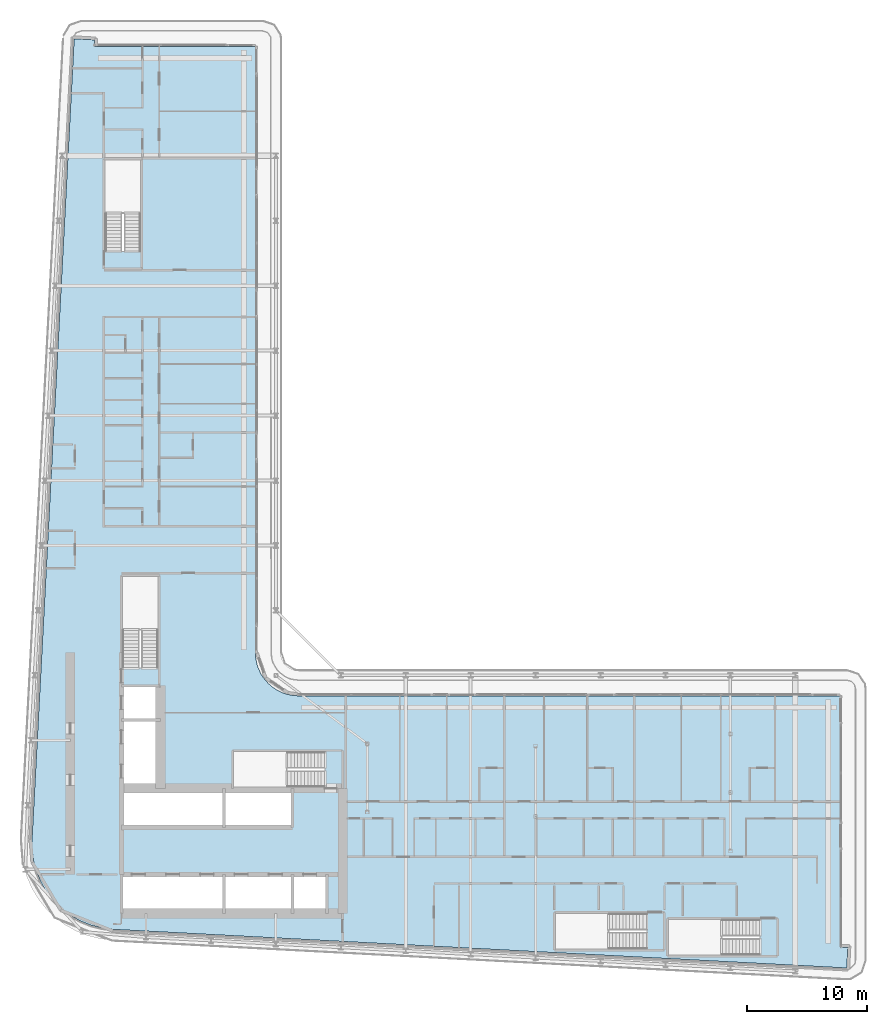
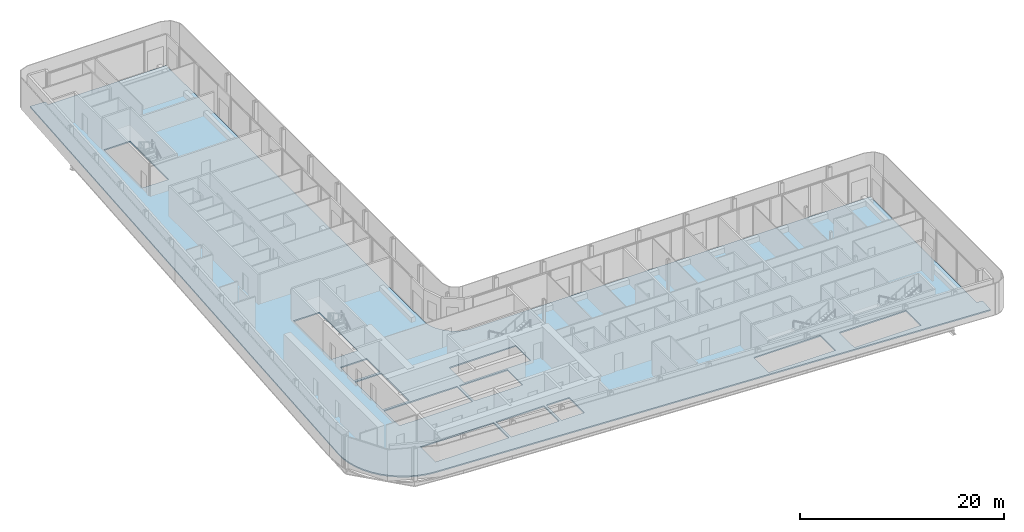
# One storey, part 13 of 30: 1 slab.
"""IFC4 building model written with IfcOpenShell, lengths in metres."""

import ifcopenshell
import ifcopenshell.guid

model = None  # the IFC model being written
_history = None  # IfcOwnerHistory: only IFC2X3 demands one
_inside = {}  # id of a spatial element -> (the spatial element, [elements in it])
_under = {}  # id of a project, library or spatial element -> (it, [spatial elements below it])
_declared = {}  # id of a project -> (the project, [libraries it declares])
_typed = {}  # id of a type object -> (the type object, [elements of that type])
_made_of = {}  # id of a material, layer set ... -> (it, [elements and type objects made of it])


def new_model(schema):
    """Start an empty IFC model of exactly this schema.

    Asked for "IFC4X3", IfcOpenShell would pick the latest addendum, in which some entities
    have other attributes; the version numbers below select the first issue.
    IFC2X3 requires an IfcOwnerHistory on every rooted entity: one is made here for all.
    """
    global model, _history
    if schema == "IFC4X3":
        model = ifcopenshell.file(schema_version=(4, 3, 0, 0))
    else:
        model = ifcopenshell.file(schema=schema)
    _inside.clear()
    _under.clear()
    _declared.clear()
    _typed.clear()
    _made_of.clear()
    _history = None
    if model.schema == "IFC2X3":
        org = make("IfcOrganization", Name="unknown")
        user = make(
            "IfcPersonAndOrganization",
            ThePerson=make("IfcPerson", FamilyName="unknown"),
            TheOrganization=org,
        )
        app = make(
            "IfcApplication",
            ApplicationDeveloper=org,
            Version="unknown",
            ApplicationFullName="unknown",
            ApplicationIdentifier="unknown",
        )
        _history = make(
            "IfcOwnerHistory",
            OwningUser=user,
            OwningApplication=app,
            ChangeAction="ADDED",
            CreationDate=0,
        )
    return model


def make(cls, **values):
    """One entity of the class cls with the attributes given. An attribute that is None is left unset."""
    return model.create_entity(
        cls, **{name: value for name, value in values.items() if value is not None}
    )


def rooted(cls, **values):
    """An entity with a GlobalId (a new one), such as an element, a storey or a relation."""
    return make(cls, GlobalId=ifcopenshell.guid.new(), OwnerHistory=_history, **values)


def si_unit(unit_type, name, prefix=None):
    """IfcSIUnit, for example si_unit("LENGTHUNIT", "METRE", prefix="MILLI")."""
    return make("IfcSIUnit", UnitType=unit_type, Prefix=prefix, Name=name)


def assignment(units):
    """IfcUnitAssignment: the units of a project."""
    return None if units is None else make("IfcUnitAssignment", Units=units)


def point(xyz):
    """IfcCartesianPoint."""
    return None if xyz is None else make("IfcCartesianPoint", Coordinates=xyz)


def direction(xyz):
    """IfcDirection."""
    return None if xyz is None else make("IfcDirection", DirectionRatios=xyz)


def frame(location, z_axis=None, x_axis=None):
    """IfcAxis2Placement3D, a coordinate frame: its origin and axes. An axis left out is left unset."""
    return make(
        "IfcAxis2Placement3D",
        Location=point(location),
        Axis=direction(z_axis),
        RefDirection=direction(x_axis),
    )


def origin():
    """The frame at (0, 0, 0) with its axes left unset."""
    return frame((0.0, 0.0, 0.0))


def place(relative_to, where):
    """IfcLocalPlacement: puts the frame where relative to a parent placement (None: the world)."""
    return make(
        "IfcLocalPlacement", PlacementRelTo=relative_to, RelativePlacement=where
    )


def context(
    kind, dimensions, precision=None, world=None, true_north=None, identifier=None
):
    """IfcGeometricRepresentationContext, for example the 3D "Model" context."""
    return make(
        "IfcGeometricRepresentationContext",
        ContextIdentifier=identifier,
        ContextType=kind,
        CoordinateSpaceDimension=dimensions,
        Precision=precision,
        WorldCoordinateSystem=world,
        TrueNorth=true_north,
    )


def subcontext(parent, identifier, kind, view, scale=None):
    """IfcGeometricRepresentationSubContext, for example "Body" below "Model"."""
    return make(
        "IfcGeometricRepresentationSubContext",
        ContextIdentifier=identifier,
        ContextType=kind,
        ParentContext=parent,
        TargetScale=scale,
        TargetView=view,
    )


def project(units=None, contexts=None):
    """IfcProject with its units and contexts."""
    return rooted(
        "IfcProject",
        Name="project",
        RepresentationContexts=contexts,
        UnitsInContext=assignment(units),
    )


def spatial(cls, under=None, at=None, **own):
    """A site, building, storey or space (cls), placed at a placement, below another one or the project."""
    s = rooted(cls, ObjectPlacement=at, **own)
    if under is not None:
        _under.setdefault(under.id(), (under, []))[1].append(s)
    return s


def polyline(points):
    """IfcPolyline through the points."""
    return make("IfcPolyline", Points=[point(p) for p in points])


def outline(outer, holes=None, kind="AREA"):
    """IfcArbitraryClosedProfileDef: a profile drawn as a closed curve; with holes, ...WithVoids."""
    if holes is None:
        return make("IfcArbitraryClosedProfileDef", ProfileType=kind, OuterCurve=outer)
    return make(
        "IfcArbitraryProfileDefWithVoids",
        ProfileType=kind,
        OuterCurve=outer,
        InnerCurves=holes,
    )


def extrude(swept, where, along, depth):
    """IfcExtrudedAreaSolid: the profile swept, set in the frame where, extruded along a direction by depth."""
    return make(
        "IfcExtrudedAreaSolid",
        SweptArea=swept,
        Position=where,
        ExtrudedDirection=direction(along),
        Depth=depth,
    )


def shape(context_of_items, identifier, shape_type, items):
    """IfcShapeRepresentation: the items that make up one representation, for example the "Body"."""
    return make(
        "IfcShapeRepresentation",
        ContextOfItems=context_of_items,
        RepresentationIdentifier=identifier,
        RepresentationType=shape_type,
        Items=items,
    )


def material(Name=None, Category=None):
    """IfcMaterial."""
    return make("IfcMaterial", Name=Name, Category=Category)


def layer(
    of_material, thickness, ventilated=None, Name=None, Category=None, Priority=None
):
    """IfcMaterialLayer: one layer of a wall or slab, of a material (None: an air gap)."""
    return make(
        "IfcMaterialLayer",
        Material=of_material,
        LayerThickness=thickness,
        IsVentilated=ventilated,
        Name=Name,
        Category=Category,
        Priority=Priority,
    )


def layer_set(layers, Name=None):
    """IfcMaterialLayerSet."""
    return make("IfcMaterialLayerSet", MaterialLayers=layers, LayerSetName=Name)


def made_of(thing, what):
    """Note that an element or type object is made of a material, layer set ...; save() writes the relation."""
    if what is not None:
        _made_of.setdefault(what.id(), (what, []))[1].append(thing)
    return thing


def type_object(cls, material=None, **own):
    """A type object (cls), such as IfcWallType, which elements share."""
    return made_of(rooted(cls, **own), material)


def element(
    cls,
    number,
    at=None,
    inside=None,
    cuts=None,
    type_object=None,
    material=None,
    context=None,
    identifier="Body",
    shape_type=None,
    held_by="IfcProductDefinitionShape",
    body=None,
    shapes=None,
    **own,
):
    """One element of the class cls, such as IfcWall. Its Tag is "e" and its number.

    at: its placement. inside: the storey or other place that contains it. cuts: it is an
    opening in that element (IfcRelVoidsElement). A single representation is given by context,
    identifier, shape_type and body (its items); several are given by shapes. held_by: the class
    of the entity that holds the representations. save() writes the other relations.
    """
    e = rooted(cls, Tag="e%d" % number, ObjectPlacement=at, **own)
    if body is not None:
        shapes = [shape(context, identifier, shape_type, body)]
    if shapes is not None:
        e.Representation = make(held_by, Representations=shapes)
    if inside is not None:
        _inside.setdefault(inside.id(), (inside, []))[1].append(e)
    if cuts is not None:
        rooted(
            "IfcRelVoidsElement", RelatingBuildingElement=cuts, RelatedOpeningElement=e
        )
    if type_object is not None:
        _typed.setdefault(type_object.id(), (type_object, []))[1].append(e)
    return made_of(e, material)


def aggregate(whole, parts):
    """IfcRelAggregates: a whole, such as a stair, and the parts it consists of."""
    return rooted("IfcRelAggregates", RelatingObject=whole, RelatedObjects=parts)


def save(model, path):
    """Write the relations noted so far, then the file.

    IfcRelAggregates (storeys below a building ...), IfcRelContainedInSpatialStructure (elements
    in a storey), IfcRelDefinesByType, IfcRelAssociatesMaterial and IfcRelDeclares: one each for
    every whole, place, type object, material and project.
    """
    for whole, parts in _under.values():
        aggregate(whole, parts)
    for where, things in _inside.values():
        rooted(
            "IfcRelContainedInSpatialStructure",
            RelatedElements=things,
            RelatingStructure=where,
        )
    for kind, things in _typed.values():
        rooted("IfcRelDefinesByType", RelatedObjects=things, RelatingType=kind)
    for what, things in _made_of.values():
        rooted("IfcRelAssociatesMaterial", RelatedObjects=things, RelatingMaterial=what)
    for by, libraries in _declared.values():
        rooted("IfcRelDeclares", RelatingContext=by, RelatedDefinitions=libraries)
    model.write(path)


model = new_model("IFC4")

# Units and contexts
model_context = context("Model", 3, precision=1e-05, world=origin(), true_north=direction((0.0, 1.0)))
body_context = subcontext(model_context, "Body", "Model", "MODEL_VIEW")
ifc_project = project(units=[si_unit("LENGTHUNIT", "METRE"), si_unit("AREAUNIT", "SQUARE_METRE"), si_unit("VOLUMEUNIT", "CUBIC_METRE"), si_unit("PLANEANGLEUNIT", "RADIAN"), si_unit("MASSUNIT", "GRAM", prefix="KILO")], contexts=[model_context])

# Site, building, storey
site_placement = place(None, origin())
site = spatial("IfcSite", under=ifc_project, at=site_placement, CompositionType="ELEMENT")
building_placement = place(site_placement, origin())
building = spatial("IfcBuilding", under=site, at=building_placement, Name="Kheshtan School and Residences Tower", CompositionType="ELEMENT")
storey_placement = place(building_placement, frame((0.0, 0.0, 164.300048828125)))
storey = spatial("IfcBuildingStorey", under=building, at=storey_placement, Name="L38", CompositionType="ELEMENT", Elevation=164.300048828125)

# Slab
ifc_material = material(Name="Concrete C40/50", Category="concrete")
ifc_layer = layer(ifc_material, 0.14990234375)
ifc_layer_set = layer_set([ifc_layer], Name="Floor slab 150 Concrete C40/50")
slab_type = type_object("IfcSlabType", Name="Floor slab 150 Concrete C40/50", PredefinedType="FLOOR", material=ifc_layer_set)
slab_placement = place(storey_placement, frame((0.0, 0.0, -0.150146484375)))
element("IfcSlab", 1, at=slab_placement, inside=storey, type_object=slab_type, Name="Floor slab L38", PredefinedType="FLOOR", context=body_context, shape_type="SweptSolid", body=[
    extrude(outline(polyline([(27.718017578125, 29.200927734375), (27.466064453125, 30.093017578125), (27.466064453125, 30.093994140625), (27.3330078125, 31.013916015625), (27.320068359375, 31.965087890625), (27.320068359375, 31.970947265625), (30.822021484375, 98.5009765625), (30.822998046875, 98.508056640625), (30.825927734375, 98.531005859375), (30.825927734375, 98.531982421875), (30.826904296875, 98.531982421875), (31.422119140625, 98.5), (31.423095703125, 98.5), (31.423095703125, 98.4990234375), (31.423095703125, 98.4951171875), (31.423095703125, 98.493896484375), (31.424072265625, 98.493896484375), (31.424072265625, 98.492919921875), (31.425048828125, 98.492919921875), (31.426025390625, 98.492919921875), (31.426025390625, 98.493896484375), (31.427978515625, 98.49609375), (31.428955078125, 98.4970703125), (31.429931640625, 98.498046875), (31.430908203125, 98.498046875), (31.430908203125, 98.4990234375), (31.431884765625, 98.4990234375), (31.431884765625, 98.5), (31.43505859375, 98.5009765625), (31.43603515625, 98.501953125), (31.43896484375, 98.501953125), (31.43994140625, 98.501953125), (31.43994140625, 98.5029296875), (31.44091796875, 98.5029296875), (31.446044921875, 98.5029296875), (32.5009765625, 98.447021484375), (32.50390625, 98.447021484375), (32.5048828125, 98.447021484375), (32.5048828125, 98.446044921875), (32.506103515625, 98.446044921875), (32.510009765625, 98.446044921875), (32.510009765625, 98.445068359375), (32.510986328125, 98.445068359375), (32.510986328125, 98.444091796875), (32.511962890625, 98.444091796875), (32.511962890625, 98.443115234375), (32.512939453125, 98.443115234375), (32.513916015625, 98.443115234375), (32.513916015625, 98.44189453125), (32.514892578125, 98.44189453125), (32.51611328125, 98.44189453125), (32.51904296875, 98.43896484375), (32.51904296875, 98.43798828125), (32.51904296875, 98.43701171875), (32.52001953125, 98.43701171875), (32.52001953125, 98.43603515625), (32.52099609375, 98.43603515625), (32.52099609375, 98.43408203125), (32.52099609375, 98.43310546875), (32.52197265625, 98.43310546875), (32.52197265625, 98.431884765625), (32.52294921875, 98.431884765625), (32.52294921875, 98.430908203125), (32.52294921875, 98.428955078125), (32.52294921875, 98.427978515625), (32.52392578125, 98.427978515625), (32.52392578125, 98.427001953125), (32.52392578125, 98.422119140625), (32.4970703125, 97.9208984375), (32.4970703125, 97.91796875), (32.4970703125, 97.9169921875), (32.49609375, 97.9169921875), (32.49609375, 97.916015625), (32.49609375, 97.912109375), (32.4951171875, 97.910888671875), (32.4951171875, 97.909912109375), (32.493896484375, 97.909912109375), (32.493896484375, 97.908935546875), (32.492919921875, 97.908935546875), (32.492919921875, 97.907958984375), (32.489013671875, 97.904052734375), (32.488037109375, 97.904052734375), (32.488037109375, 97.903076171875), (32.488037109375, 97.902099609375), (32.488037109375, 97.90087890625), (32.489013671875, 97.90087890625), (32.489013671875, 97.89990234375), (32.489990234375, 97.89990234375), (45.85498046875, 97.89990234375), (45.864990234375, 97.89794921875), (45.865966796875, 97.89794921875), (45.868896484375, 97.89599609375), (45.8740234375, 97.89404296875), (45.8779296875, 97.89208984375), (45.881103515625, 97.889892578125), (45.881103515625, 97.888916015625), (45.882080078125, 97.888916015625), (45.882080078125, 97.887939453125), (45.883056640625, 97.887939453125), (45.884033203125, 97.885009765625), (45.885009765625, 97.885009765625), (45.885009765625, 97.884033203125), (45.887939453125, 97.883056640625), (45.887939453125, 97.882080078125), (45.888916015625, 97.882080078125), (45.888916015625, 97.881103515625), (45.889892578125, 97.881103515625), (45.89208984375, 97.8779296875), (45.89404296875, 97.8740234375), (45.89599609375, 97.868896484375), (45.89794921875, 97.865966796875), (45.89794921875, 97.864990234375), (45.89990234375, 97.85498046875), (45.89990234375, 47.429931640625), (45.927001953125, 47.030029296875), (46.01806640625, 46.570068359375), (46.01806640625, 46.569091796875), (46.169921875, 46.1201171875), (46.37890625, 45.697021484375), (46.638916015625, 45.30810546875), (46.949951171875, 44.950927734375), (46.950927734375, 44.949951171875), (47.30810546875, 44.638916015625), (47.697021484375, 44.37890625), (48.1201171875, 44.169921875), (48.569091796875, 44.01806640625), (48.570068359375, 44.01806640625), (49.030029296875, 43.927001953125), (49.429931640625, 43.89990234375), (94.455078125, 43.89990234375), (94.4599609375, 43.89892578125), (94.465087890625, 43.89794921875), (94.466064453125, 43.89794921875), (94.468994140625, 43.89599609375), (94.47412109375, 43.89404296875), (94.47802734375, 43.89208984375), (94.48095703125, 43.889892578125), (94.48095703125, 43.888916015625), (94.48193359375, 43.888916015625), (94.48193359375, 43.887939453125), (94.48291015625, 43.887939453125), (94.48388671875, 43.885009765625), (94.485107421875, 43.885009765625), (94.485107421875, 43.884033203125), (94.488037109375, 43.883056640625), (94.488037109375, 43.882080078125), (94.489013671875, 43.882080078125), (94.489013671875, 43.881103515625), (94.489990234375, 43.881103515625), (94.491943359375, 43.8779296875), (94.493896484375, 43.8740234375), (94.49609375, 43.868896484375), (94.498046875, 43.865966796875), (94.498046875, 43.864990234375), (94.4990234375, 43.860107421875), (94.5, 43.85498046875), (94.5, 22.992919921875), (94.5, 22.991943359375), (94.5009765625, 22.991943359375), (94.5009765625, 22.990966796875), (94.501953125, 22.990966796875), (94.5029296875, 22.990966796875), (94.5029296875, 22.991943359375), (94.5048828125, 22.993896484375), (94.506103515625, 22.9951171875), (94.507080078125, 22.99609375), (94.508056640625, 22.99609375), (94.508056640625, 22.9970703125), (94.509033203125, 22.9970703125), (94.509033203125, 22.998046875), (94.511962890625, 22.9990234375), (94.512939453125, 23.0), (94.51611328125, 23.0), (94.51708984375, 23.0), (94.51708984375, 23.0009765625), (94.51806640625, 23.0009765625), (94.52294921875, 23.0009765625), (95.137939453125, 22.968017578125), (95.14111328125, 22.968017578125), (95.14208984375, 22.968017578125), (95.14208984375, 22.967041015625), (95.14306640625, 22.967041015625), (95.14697265625, 22.967041015625), (95.14697265625, 22.966064453125), (95.14794921875, 22.966064453125), (95.14794921875, 22.965087890625), (95.14892578125, 22.965087890625), (95.14892578125, 22.964111328125), (95.14990234375, 22.964111328125), (95.15087890625, 22.964111328125), (95.15087890625, 22.962890625), (95.152099609375, 22.962890625), (95.153076171875, 22.962890625), (95.153076171875, 22.9619140625), (95.155029296875, 22.9599609375), (95.156005859375, 22.9599609375), (95.156005859375, 22.958984375), (95.156005859375, 22.9580078125), (95.156982421875, 22.9580078125), (95.156982421875, 22.95703125), (95.157958984375, 22.95703125), (95.157958984375, 22.955078125), (95.157958984375, 22.9541015625), (95.158935546875, 22.9541015625), (95.158935546875, 22.952880859375), (95.159912109375, 22.952880859375), (95.159912109375, 22.951904296875), (95.159912109375, 22.949951171875), (95.159912109375, 22.948974609375), (95.160888671875, 22.948974609375), (95.160888671875, 22.947998046875), (95.160888671875, 22.943115234375), (95.10498046875, 21.885986328125), (95.10498046875, 21.883056640625), (95.10498046875, 21.882080078125), (95.10400390625, 21.882080078125), (95.10400390625, 21.881103515625), (95.10400390625, 21.876953125), (95.10302734375, 21.8759765625), (95.10302734375, 21.875), (95.10205078125, 21.875), (95.10205078125, 21.8740234375), (95.10107421875, 21.8740234375), (95.10107421875, 21.873046875), (95.10009765625, 21.8720703125), (95.097900390625, 21.8701171875), (95.096923828125, 21.868896484375), (95.095947265625, 21.868896484375), (95.095947265625, 21.867919921875), (95.095947265625, 21.866943359375), (95.095947265625, 21.865966796875), (95.096923828125, 21.865966796875), (95.096923828125, 21.864990234375), (95.097900390625, 21.864990234375), (95.09912109375, 21.864990234375), (95.10009765625, 21.864990234375), (95.10009765625, 21.864013671875), (95.068115234375, 21.26904296875), (95.068115234375, 21.26806640625), (95.06689453125, 21.26806640625), (95.04296875, 21.26708984375), (95.0380859375, 21.26708984375), (34.056884765625, 24.47802734375), (33.114990234375, 24.590087890625), (32.215087890625, 24.819091796875), (32.214111328125, 24.819091796875), (31.35205078125, 25.1630859375), (30.541015625, 25.616943359375), (29.799072265625, 26.1708984375), (29.799072265625, 26.172119140625), (29.798095703125, 26.172119140625), (29.134033203125, 26.820068359375), (29.134033203125, 26.821044921875), (29.133056640625, 26.821044921875), (28.55908203125, 27.550048828125), (28.0849609375, 28.345947265625), (27.718017578125, 29.200927734375)]), holes=[polyline([(94.5, 21.87109375), (94.5, 21.866943359375), (94.5, 21.865966796875), (94.5009765625, 21.865966796875), (94.5009765625, 21.864990234375), (94.501953125, 21.864990234375), (94.506103515625, 21.864990234375), (94.507080078125, 21.864990234375), (94.507080078125, 21.865966796875), (94.508056640625, 21.865966796875), (94.508056640625, 21.866943359375), (94.508056640625, 21.867919921875), (94.507080078125, 21.867919921875), (94.506103515625, 21.868896484375), (94.5048828125, 21.8701171875), (94.50390625, 21.87109375), (94.5029296875, 21.8720703125), (94.5029296875, 21.873046875), (94.501953125, 21.873046875), (94.5009765625, 21.873046875), (94.5009765625, 21.8720703125), (94.5, 21.8720703125), (94.5, 21.87109375)]), polyline([(31.423095703125, 97.906005859375), (31.423095703125, 97.902099609375), (31.423095703125, 97.90087890625), (31.424072265625, 97.90087890625), (31.424072265625, 97.89990234375), (31.425048828125, 97.89990234375), (31.428955078125, 97.89990234375), (31.429931640625, 97.89990234375), (31.429931640625, 97.90087890625), (31.430908203125, 97.90087890625), (31.430908203125, 97.902099609375), (31.430908203125, 97.903076171875), (31.429931640625, 97.903076171875), (31.428955078125, 97.904052734375), (31.427978515625, 97.905029296875), (31.427001953125, 97.906005859375), (31.426025390625, 97.906982421875), (31.426025390625, 97.907958984375), (31.425048828125, 97.907958984375), (31.424072265625, 97.907958984375), (31.424072265625, 97.906982421875), (31.423095703125, 97.906982421875), (31.423095703125, 97.906005859375)]), polyline([(34.875, 28.925048828125), (34.875, 25.925048828125), (43.175048828125, 25.925048828125), (43.175048828125, 28.925048828125), (34.875, 28.925048828125)]), polyline([(43.175048828125, 36.074951171875), (34.875, 36.074951171875), (34.875, 33.074951171875), (43.175048828125, 33.074951171875), (43.175048828125, 36.074951171875)]), polyline([(34.875, 41.77490234375), (34.875, 36.324951171875), (37.875, 36.324951171875), (37.875, 41.77490234375), (34.875, 41.77490234375)]), polyline([(34.875, 42.02490234375), (37.875, 42.02490234375), (37.875, 44.625), (34.875, 44.625), (34.875, 42.02490234375)]), polyline([(37.800048828125, 46.25), (37.800048828125, 53.81005859375), (34.85009765625, 53.81005859375), (34.85009765625, 46.260009765625), (36.25, 46.260009765625), (36.25, 46.25), (37.800048828125, 46.25)]), polyline([(33.39990234375, 88.4599609375), (33.39990234375, 80.909912109375), (34.800048828125, 80.909912109375), (34.800048828125, 80.89990234375), (36.35009765625, 80.89990234375), (36.35009765625, 88.4599609375), (33.39990234375, 88.4599609375)]), polyline([(87.81005859375, 22.35009765625), (87.81005859375, 23.75), (87.820068359375, 23.75), (87.820068359375, 25.300048828125), (80.260009765625, 25.300048828125), (80.260009765625, 22.35009765625), (87.81005859375, 22.35009765625)]), polyline([(70.85009765625, 22.85009765625), (78.39990234375, 22.85009765625), (78.39990234375, 24.25), (78.409912109375, 24.25), (78.409912109375, 25.800048828125), (70.85009765625, 25.800048828125), (70.85009765625, 22.85009765625)]), polyline([(43.425048828125, 25.925048828125), (48.875, 25.925048828125), (48.875, 28.925048828125), (43.425048828125, 28.925048828125), (43.425048828125, 25.925048828125)]), polyline([(49.125, 25.925048828125), (51.72509765625, 25.925048828125), (51.72509765625, 28.925048828125), (49.125, 28.925048828125), (49.125, 25.925048828125)]), polyline([(43.425048828125, 33.074951171875), (48.875, 33.074951171875), (48.875, 36.074951171875), (43.425048828125, 36.074951171875), (43.425048828125, 33.074951171875)]), polyline([(51.64990234375, 39.25), (44.090087890625, 39.25), (44.090087890625, 36.300048828125), (51.639892578125, 36.300048828125), (51.639892578125, 37.699951171875), (51.64990234375, 37.699951171875), (51.64990234375, 39.25)])]), origin(), (0.0, 0.0, 1.0), 0.150146484375),
])

save(model, "model.ifc")
